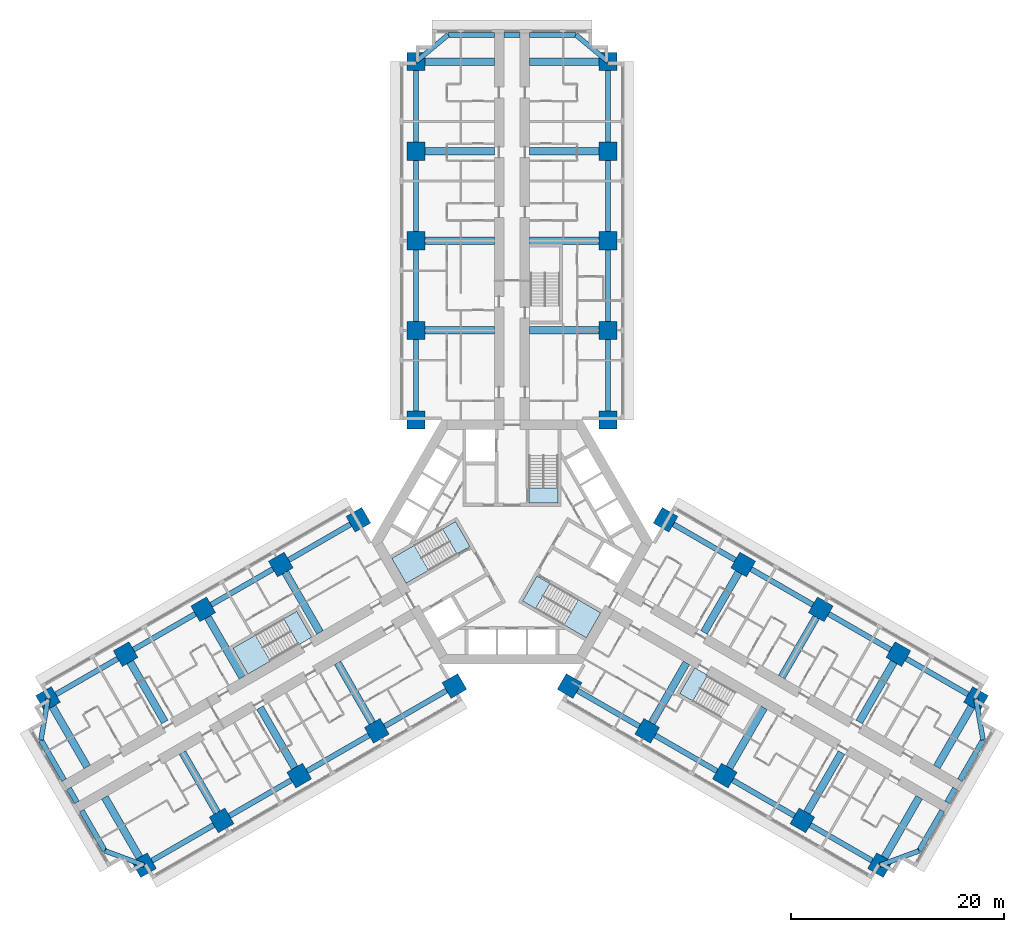
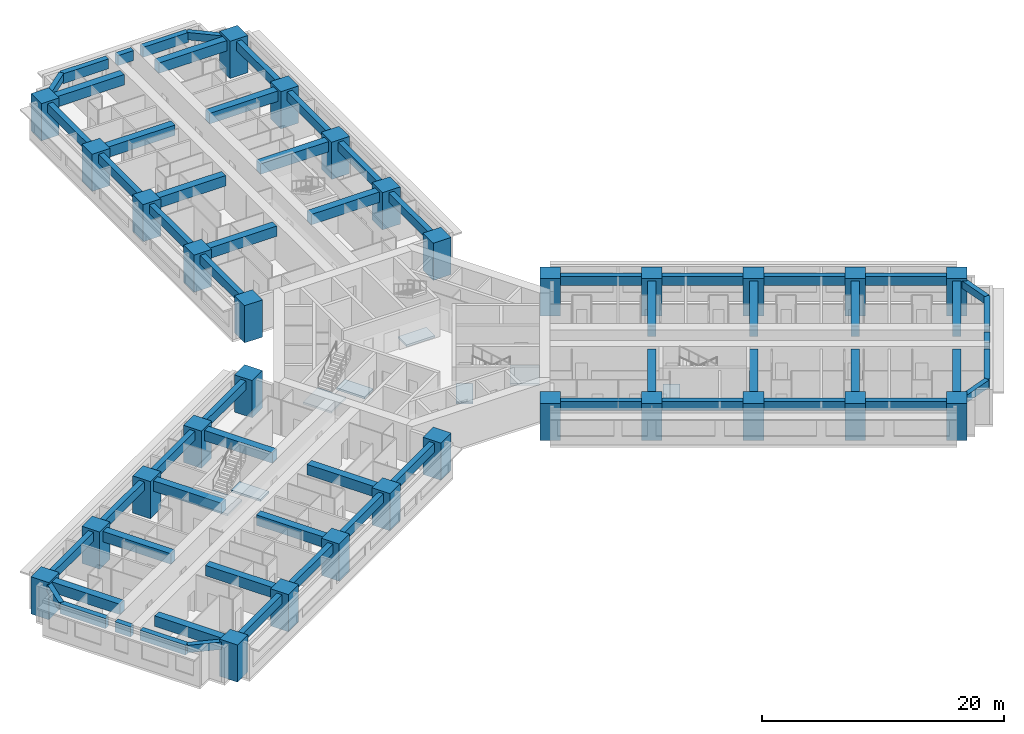
# One storey, part 1 of 16: 63 beams, 30 columns, 8 slabs, 5 elements without a shape of their own.
"""IFC4 building model written with IfcOpenShell, lengths in metres."""

from ifc_helpers import new_model, si_unit, direction, frame, origin, origin_2d, place, context, subcontext, project, spatial, polyline, rectangle, outline, extrude, material, layer, layer_set, material_profile, profile_set, type_object, element, aggregate, save


model = new_model("IFC4")

# Units and contexts
model_context = context("Model", 3, precision=1e-05, world=origin(), true_north=direction((0.0, 1.0)))
body_context = subcontext(model_context, "Body", "Model", "MODEL_VIEW")
ifc_project = project(units=[si_unit("LENGTHUNIT", "METRE"), si_unit("AREAUNIT", "SQUARE_METRE"), si_unit("VOLUMEUNIT", "CUBIC_METRE"), si_unit("PLANEANGLEUNIT", "RADIAN"), si_unit("MASSUNIT", "GRAM", prefix="KILO")], contexts=[model_context])

# Site, building, storey
site_placement = place(None, origin())
site = spatial("IfcSite", under=ifc_project, at=site_placement, CompositionType="ELEMENT")
building_placement = place(site_placement, origin())
building = spatial("IfcBuilding", under=site, at=building_placement, Name="Impinga Residences", CompositionType="ELEMENT")
storey_placement = place(building_placement, frame((0.0, 0.0, 44.75)))
storey = spatial("IfcBuildingStorey", under=building, at=storey_placement, Name="L10", CompositionType="ELEMENT", Elevation=44.75)

# Columns
ifc_material_1 = material(Name="Concrete C70/85", Category="concrete")
ifc_material_profile_1 = material_profile(ifc_material_1, rectangle(XDim=1.699951171875, YDim=1.699951171875, at=origin_2d()), Name="RC 1700x1700")
ifc_profile_set_1 = profile_set([ifc_material_profile_1], Name="Concrete C70/85")
column_type = type_object("IfcColumnType", Name="C10 1700x1700 column", PredefinedType="COLUMN", material=ifc_profile_set_1)
for number, where, z_axis, x_axis, name in (
    (1, (-9.0, 11.431640625, 0.0), (0.0, 0.0, 1.0), (1.0, 0.0, 0.0), "Column C10 N1/NA L10"),
    (2, (9.0, 11.431640625, 0.0), (0.0, 0.0, 1.0), (1.0, 0.0, 0.0), "Column C10 N1/NF L10"),
    (3, (-9.0, 19.83154296875, 0.0), (0.0, 0.0, 1.0), (1.0, 0.0, 0.0), "Column C10 N2/NA L10"),
    (4, (9.0, 19.83154296875, 0.0), (0.0, 0.0, 1.0), (1.0, 0.0, 0.0), "Column C10 N2/NF L10"),
    (5, (-9.0, 28.2314453125, 0.0), (0.0, 0.0, 1.0), (1.0, 0.0, 0.0), "Column C10 N3/NA L10"),
    (6, (9.0, 28.2314453125, 0.0), (0.0, 0.0, 1.0), (1.0, 0.0, 0.0), "Column C10 N3/NF L10"),
    (7, (-9.0, 36.631591796875, 0.0), (0.0, 0.0, 1.0), (1.0, 0.0, 0.0), "Column C10 N4/NA L10"),
    (8, (9.0, 36.631591796875, 0.0), (0.0, 0.0, 1.0), (1.0, 0.0, 0.0), "Column C10 N4/NF L10"),
    (9, (-9.0, 45.031494140625, 0.0), (0.0, 0.0, 1.0), (1.0, 0.0, 0.0), "Column C10 N5/NA L10"),
    (10, (9.0, 45.031494140625, 0.0), (0.0, 0.0, 1.0), (1.0, 0.0, 0.0), "Column C10 N5/NF L10"),
    (11, (-5.39990234375, -13.510009765625, 0.0), (0.0, 0.0, 1.0), (-0.5, 0.866025403784, 0.0), "Column C10 W1/WA L10"),
    (12, (-14.39990234375, 2.078369140625, 0.0), (0.0, 0.0, 1.0), (-0.5, 0.866025403784, 0.0), "Column C10 W1/WF L10"),
    (13, (-12.674560546875, -17.7099609375, 0.0), (0.0, 0.0, 1.0), (-0.5, 0.866025403784, 0.0), "Column C10 W2/WA L10"),
    (14, (-21.674560546875, -2.12158203125, 0.0), (0.0, 0.0, 1.0), (-0.5, 0.866025403784, 0.0), "Column C10 W2/WF L10"),
    (15, (-19.94921875, -21.909912109375, 0.0), (0.0, 0.0, 1.0), (-0.5, 0.866025403784, 0.0), "Column C10 W3/WA L10"),
    (16, (-28.94921875, -6.321533203125, 0.0), (0.0, 0.0, 1.0), (-0.5, 0.866025403784, 0.0), "Column C10 W3/WF L10"),
    (17, (-27.223876953125, -26.110107421875, 0.0), (0.0, 0.0, 1.0), (-0.5, 0.866025403784, 0.0), "Column C10 W4/WA L10"),
    (18, (-36.223876953125, -10.521484375, 0.0), (0.0, 0.0, 1.0), (-0.5, 0.866025403784, 0.0), "Column C10 W4/WF L10"),
    (19, (-34.49853515625, -30.31005859375, 0.0), (0.0, 0.0, 1.0), (-0.5, 0.866025403784, 0.0), "Column C10 W5/WA L10"),
    (20, (-43.49853515625, -14.721435546875, 0.0), (0.0, 0.0, 1.0), (-0.5, 0.866025403784, 0.0), "Column C10 W5/WF L10"),
    (21, (14.39990234375, 2.078369140625, 0.0), (0.0, 0.0, 1.0), (-0.5, -0.866025403784, 0.0), "Column C10 E1/EA L10"),
    (22, (5.39990234375, -13.510009765625, 0.0), (0.0, 0.0, 1.0), (-0.5, -0.866025403784, 0.0), "Column C10 E1/EF L10"),
    (23, (21.674560546875, -2.12158203125, 0.0), (0.0, 0.0, 1.0), (-0.5, -0.866025403784, 0.0), "Column C10 E2/EA L10"),
    (24, (12.674560546875, -17.7099609375, 0.0), (0.0, 0.0, 1.0), (-0.5, -0.866025403784, 0.0), "Column C10 E2/EF L10"),
    (25, (28.94921875, -6.321533203125, 0.0), (0.0, 0.0, 1.0), (-0.5, -0.866025403784, 0.0), "Column C10 E3/EA L10"),
    (26, (19.94921875, -21.909912109375, 0.0), (0.0, 0.0, 1.0), (-0.5, -0.866025403784, 0.0), "Column C10 E3/EF L10"),
    (27, (36.223876953125, -10.521484375, 0.0), (0.0, 0.0, 1.0), (-0.5, -0.866025403784, 0.0), "Column C10 E4/EA L10"),
    (28, (27.223876953125, -26.110107421875, 0.0), (0.0, 0.0, 1.0), (-0.5, -0.866025403784, 0.0), "Column C10 E4/EF L10"),
    (29, (43.49853515625, -14.721435546875, 0.0), (0.0, 0.0, 1.0), (-0.5, -0.866025403784, 0.0), "Column C10 E5/EA L10"),
    (30, (34.49853515625, -30.31005859375, 0.0), (0.0, 0.0, 1.0), (-0.5, -0.866025403784, 0.0), "Column C10 E5/EF L10"),
):
    element("IfcColumn", number, at=place(storey_placement, frame(where, z_axis=z_axis, x_axis=x_axis)), inside=storey, type_object=column_type, Name=name, PredefinedType="COLUMN", context=body_context, shape_type="SweptSolid", body=[
        extrude(rectangle(XDim=1.699951171875, YDim=1.699951171875, at=origin_2d()), origin(), (0.0, 0.0, 1.0), 3.75),
    ])

# Beams
ifc_material_2 = material(Name="Concrete C60/75", Category="concrete")
ifc_material_profile_2 = material_profile(ifc_material_2, rectangle(XDim=0.449951171875, YDim=0.75, at=origin_2d()), Name="RC 450x750")
ifc_profile_set_2 = profile_set([ifc_material_profile_2], Name="Concrete C60/75")
beam_type_1 = type_object("IfcBeamType", Name="CB1 450x750 wing end cantilever beam", PredefinedType="BEAM", material=ifc_profile_set_2)
for number, where, z_axis, x_axis, name in (
    (31, (-9.0, 45.031494140625, 3.155029296875), (0.768221279597, 0.640184399664, 0.0), (-0.640184399664, 0.768221279597, 0.0), "Beam CB1 NB N5-NX level L11"),
    (32, (9.0, 45.031494140625, 3.155029296875), (-0.768221279597, 0.640184399664, 0.0), (-0.640184399664, -0.768221279597, 0.0), "Beam CB1 NE N5-NX level L11"),
    (33, (-34.49853515625, -30.31005859375, 3.155029296875), (-0.938520178725, 0.345224382289, 0.0), (-0.345224382289, -0.938520178725, 0.0), "Beam CB1 WB W5-WX level L11"),
):
    element("IfcBeam", number, at=place(storey_placement, frame(where, z_axis=z_axis, x_axis=x_axis)), inside=storey, type_object=beam_type_1, Name=name, PredefinedType="BEAM", context=body_context, shape_type="SweptSolid", body=[
        extrude(rectangle(XDim=0.449951171875, YDim=0.75, at=origin_2d()), origin(), (0.0, 0.0, 1.0), 3.905029296875),
    ])
for number, where, z_axis, x_axis, name in (
    (34, (-43.49853515625, -14.721435546875, 3.155029296875), (-0.170296298948, -0.985392901621, 0.0), (0.985392901621, -0.170296298948, 0.0), "Beam CB1 WE W5-WX level L11"),
    (35, (43.49853515625, -14.721435546875, 3.155029296875), (0.170296298948, -0.985392901621, 0.0), (0.985392901621, 0.170296298948, 0.0), "Beam CB1 EB E5-EX level L11"),
):
    element("IfcBeam", number, at=place(storey_placement, frame(where, z_axis=z_axis, x_axis=x_axis)), inside=storey, type_object=beam_type_1, Name=name, PredefinedType="BEAM", context=body_context, shape_type="SweptSolid", body=[
        extrude(rectangle(XDim=0.449951171875, YDim=0.75, at=origin_2d()), origin(), (0.0, 0.0, 1.0), 3.9052734375),
    ])
beam_1_placement = place(storey_placement, frame((34.49853515625, -30.31005859375, 3.155029296875), z_axis=(0.938520178725, 0.345224382289, 0.0), x_axis=(-0.345224382289, 0.938520178725, 0.0)))
element("IfcBeam", 36, at=beam_1_placement, inside=storey, type_object=beam_type_1, Name="Beam CB1 EE E5-EX level L11", PredefinedType="BEAM", context=body_context, shape_type="SweptSolid", body=[
    extrude(rectangle(XDim=0.449951171875, YDim=0.75, at=origin_2d()), origin(), (0.0, 0.0, 1.0), 3.905029296875),
])
ifc_material_profile_3 = material_profile(ifc_material_2, rectangle(XDim=0.699951171875, YDim=1.050048828125, at=origin_2d()), Name="RC 700x1050")
ifc_profile_set_3 = profile_set([ifc_material_profile_3], Name="Concrete C60/75")
beam_type_2 = type_object("IfcBeamType", Name="CG1 700x1050 cross girder on a wing bay line", PredefinedType="BEAM", material=ifc_profile_set_3)
for number, where, z_axis, x_axis, name in (
    (37, (-1.64990234375, 19.83154296875, 3.0048828125), (-1.0, 0.0, 0.0), (0.0, -1.0, 0.0), "Beam CG1 N2 NC/NA level L11"),
    (38, (-1.64990234375, 28.2314453125, 3.0048828125), (-1.0, 0.0, 0.0), (0.0, -1.0, 0.0), "Beam CG1 N3 NC/NA level L11"),
    (39, (-1.64990234375, 36.631591796875, 3.0048828125), (-1.0, 0.0, 0.0), (0.0, -1.0, 0.0), "Beam CG1 N4 NC/NA level L11"),
    (40, (-1.64990234375, 45.031494140625, 3.0048828125), (-1.0, 0.0, 0.0), (0.0, -1.0, 0.0), "Beam CG1 N5 NC/NA level L11"),
    (41, (1.64990234375, 19.83154296875, 3.0048828125), (1.0, 0.0, 0.0), (0.0, 1.0, 0.0), "Beam CG1 N2 NC/NF level L11"),
    (42, (1.64990234375, 28.2314453125, 3.0048828125), (1.0, 0.0, 0.0), (0.0, 1.0, 0.0), "Beam CG1 N3 NC/NF level L11"),
    (43, (1.64990234375, 36.631591796875, 3.0048828125), (1.0, 0.0, 0.0), (0.0, 1.0, 0.0), "Beam CG1 N4 NC/NF level L11"),
    (44, (1.64990234375, 45.031494140625, 3.0048828125), (1.0, 0.0, 0.0), (0.0, 1.0, 0.0), "Beam CG1 N5 NC/NF level L11"),
    (45, (-16.349609375, -11.3447265625, 3.0048828125), (0.500008066151, -0.86602074674, 0.0), (0.86602074674, 0.500008066151, 0.0), "Beam CG1 W2 WC/WA level L11"),
    (46, (-23.624267578125, -15.544677734375, 3.0048828125), (0.500008066151, -0.86602074674, 0.0), (0.86602074674, 0.500008066151, 0.0), "Beam CG1 W3 WC/WA level L11"),
    (47, (-30.89892578125, -19.74462890625, 3.0048828125), (0.499993683172, -0.866029050776, 0.0), (0.866029050776, 0.499993683172, 0.0), "Beam CG1 W4 WC/WA level L11"),
):
    element("IfcBeam", number, at=place(storey_placement, frame(where, z_axis=z_axis, x_axis=x_axis)), inside=storey, type_object=beam_type_2, Name=name, PredefinedType="BEAM", context=body_context, shape_type="SweptSolid", body=[
        extrude(rectangle(XDim=0.699951171875, YDim=1.050048828125, at=origin_2d()), origin(), (0.0, 0.0, 1.0), 7.35009765625),
    ])
beam_2_placement = place(storey_placement, frame((-38.17333984375, -23.94482421875, 3.0048828125), z_axis=(0.499983153418, -0.866035129944, 0.0), x_axis=(0.866035129944, 0.499983153418, 0.0)))
element("IfcBeam", 48, at=beam_2_placement, inside=storey, type_object=beam_type_2, Name="Beam CG1 W5 WC/WA level L11", PredefinedType="BEAM", context=body_context, shape_type="SweptSolid", body=[
    extrude(rectangle(XDim=0.699951171875, YDim=1.050048828125, at=origin_2d()), origin(), (0.0, 0.0, 1.0), 7.349853515625),
])
for number, where, z_axis, x_axis, name in (
    (49, (-17.99951171875, -8.48681640625, 3.0048828125), (-0.500008066151, 0.86602074674, 0.0), (-0.86602074674, -0.500008066151, 0.0), "Beam CG1 W2 WC/WF level L11"),
    (50, (-25.274169921875, -12.686767578125, 3.0048828125), (-0.500008066151, 0.86602074674, 0.0), (-0.86602074674, -0.500008066151, 0.0), "Beam CG1 W3 WC/WF level L11"),
    (51, (-32.548828125, -16.88671875, 3.0048828125), (-0.500008066151, 0.86602074674, 0.0), (-0.86602074674, -0.500008066151, 0.0), "Beam CG1 W4 WC/WF level L11"),
    (52, (-39.823486328125, -21.0869140625, 3.0048828125), (-0.499993683172, 0.866029050776, 0.0), (-0.866029050776, -0.499993683172, 0.0), "Beam CG1 W5 WC/WF level L11"),
    (53, (17.99951171875, -8.48681640625, 3.0048828125), (0.500008066151, 0.86602074674, 0.0), (-0.86602074674, 0.500008066151, 0.0), "Beam CG1 E2 EC/EA level L11"),
    (54, (25.274169921875, -12.686767578125, 3.0048828125), (0.500008066151, 0.86602074674, 0.0), (-0.86602074674, 0.500008066151, 0.0), "Beam CG1 E3 EC/EA level L11"),
    (55, (32.548828125, -16.88671875, 3.0048828125), (0.500008066151, 0.86602074674, 0.0), (-0.86602074674, 0.500008066151, 0.0), "Beam CG1 E4 EC/EA level L11"),
    (56, (39.823486328125, -21.0869140625, 3.0048828125), (0.499993683172, 0.866029050776, 0.0), (-0.866029050776, 0.499993683172, 0.0), "Beam CG1 E5 EC/EA level L11"),
    (57, (16.349609375, -11.3447265625, 3.0048828125), (-0.500008066151, -0.86602074674, 0.0), (0.86602074674, -0.500008066151, 0.0), "Beam CG1 E2 EC/EF level L11"),
    (58, (23.624267578125, -15.544677734375, 3.0048828125), (-0.500008066151, -0.86602074674, 0.0), (0.86602074674, -0.500008066151, 0.0), "Beam CG1 E3 EC/EF level L11"),
    (59, (30.89892578125, -19.74462890625, 3.0048828125), (-0.499993683172, -0.866029050776, 0.0), (0.866029050776, -0.499993683172, 0.0), "Beam CG1 E4 EC/EF level L11"),
):
    element("IfcBeam", number, at=place(storey_placement, frame(where, z_axis=z_axis, x_axis=x_axis)), inside=storey, type_object=beam_type_2, Name=name, PredefinedType="BEAM", context=body_context, shape_type="SweptSolid", body=[
        extrude(rectangle(XDim=0.699951171875, YDim=1.050048828125, at=origin_2d()), origin(), (0.0, 0.0, 1.0), 7.35009765625),
    ])
beam_3_placement = place(storey_placement, frame((38.17333984375, -23.94482421875, 3.0048828125), z_axis=(-0.499983153418, -0.866035129944, 0.0), x_axis=(0.866035129944, -0.499983153418, 0.0)))
element("IfcBeam", 60, at=beam_3_placement, inside=storey, type_object=beam_type_2, Name="Beam CG1 E5 EC/EF level L11", PredefinedType="BEAM", context=body_context, shape_type="SweptSolid", body=[
    extrude(rectangle(XDim=0.699951171875, YDim=1.050048828125, at=origin_2d()), origin(), (0.0, 0.0, 1.0), 7.349853515625),
])
ifc_material_profile_4 = material_profile(ifc_material_2, rectangle(XDim=0.5, YDim=1.0, at=origin_2d()), Name="RC 500x1000")
ifc_profile_set_4 = profile_set([ifc_material_profile_4], Name="Concrete C60/75")
beam_type_3 = type_object("IfcBeamType", Name="EB1 500x1000 wing end beam", PredefinedType="BEAM", material=ifc_profile_set_4)
beam_4_placement = place(storey_placement, frame((-6.0, 47.531494140625, 3.030029296875), z_axis=(1.0, 0.0, 0.0), x_axis=(0.0, 1.0, 0.0)))
element("IfcBeam", 61, at=beam_4_placement, inside=storey, type_object=beam_type_3, Name="Beam EB1 NX4 level L11", PredefinedType="BEAM", context=body_context, shape_type="SweptSolid", body=[
    extrude(rectangle(XDim=0.5, YDim=1.0, at=origin_2d()), origin(), (0.0, 0.0, 1.0), 4.35009765625),
])
beam_5_placement = place(storey_placement, frame((-0.75, 47.531494140625, 3.030029296875), z_axis=(1.0, 0.0, 0.0), x_axis=(0.0, 1.0, 0.0)))
element("IfcBeam", 62, at=beam_5_placement, inside=storey, type_object=beam_type_3, Name="Beam EB1 NX4 level L11", PredefinedType="BEAM", context=body_context, shape_type="SweptSolid", body=[
    extrude(rectangle(XDim=0.5, YDim=1.0, at=origin_2d()), origin(), (0.0, 0.0, 1.0), 1.5),
])
beam_6_placement = place(storey_placement, frame((1.64990234375, 47.531494140625, 3.030029296875), z_axis=(1.0, 0.0, 0.0), x_axis=(0.0, 1.0, 0.0)))
element("IfcBeam", 63, at=beam_6_placement, inside=storey, type_object=beam_type_3, Name="Beam EB1 NX4 level L11", PredefinedType="BEAM", context=body_context, shape_type="SweptSolid", body=[
    extrude(rectangle(XDim=0.5, YDim=1.0, at=origin_2d()), origin(), (0.0, 0.0, 1.0), 4.35009765625),
])
beam_7_placement = place(storey_placement, frame((-38.16357421875, -28.9619140625, 3.030029296875), z_axis=(-0.500020430026, 0.866013608182, 0.0), x_axis=(-0.866013608182, -0.500020430026, 0.0)))
element("IfcBeam", 64, at=beam_7_placement, inside=storey, type_object=beam_type_3, Name="Beam EB1 WX4 level L11", PredefinedType="BEAM", context=body_context, shape_type="SweptSolid", body=[
    extrude(rectangle(XDim=0.5, YDim=1.0, at=origin_2d()), origin(), (0.0, 0.0, 1.0), 4.349853515625),
])
beam_8_placement = place(storey_placement, frame((-40.78857421875, -24.415283203125, 3.030029296875), z_axis=(-0.499990139034, 0.866031096941, 0.0), x_axis=(-0.866031096941, -0.499990139034, 0.0)))
element("IfcBeam", 65, at=beam_8_placement, inside=storey, type_object=beam_type_3, Name="Beam EB1 WX4 level L11", PredefinedType="BEAM", context=body_context, shape_type="SweptSolid", body=[
    extrude(rectangle(XDim=0.5, YDim=1.0, at=origin_2d()), origin(), (0.0, 0.0, 1.0), 1.5),
])
for number, where, z_axis, x_axis, name in (
    (66, (-41.988525390625, -22.3369140625, 3.030029296875), (-0.499996127374, 0.866027639635, 0.0), (-0.866027639635, -0.499996127374, 0.0), "Beam EB1 WX4 level L11"),
    (67, (44.16357421875, -18.569580078125, 3.030029296875), (-0.499996127374, -0.866027639635, 0.0), (0.866027639635, -0.499996127374, 0.0), "Beam EB1 EX4 level L11"),
):
    element("IfcBeam", number, at=place(storey_placement, frame(where, z_axis=z_axis, x_axis=x_axis)), inside=storey, type_object=beam_type_3, Name=name, PredefinedType="BEAM", context=body_context, shape_type="SweptSolid", body=[
        extrude(rectangle(XDim=0.5, YDim=1.0, at=origin_2d()), origin(), (0.0, 0.0, 1.0), 4.35009765625),
    ])
beam_9_placement = place(storey_placement, frame((41.53857421875, -23.1162109375, 3.030029296875), z_axis=(-0.499990139034, -0.866031096941, 0.0), x_axis=(0.866031096941, -0.499990139034, 0.0)))
element("IfcBeam", 68, at=beam_9_placement, inside=storey, type_object=beam_type_3, Name="Beam EB1 EX4 level L11", PredefinedType="BEAM", context=body_context, shape_type="SweptSolid", body=[
    extrude(rectangle(XDim=0.5, YDim=1.0, at=origin_2d()), origin(), (0.0, 0.0, 1.0), 1.5),
])
beam_10_placement = place(storey_placement, frame((40.338623046875, -25.19482421875, 3.030029296875), z_axis=(-0.500020430026, -0.866013608182, 0.0), x_axis=(0.866013608182, -0.500020430026, 0.0)))
element("IfcBeam", 69, at=beam_10_placement, inside=storey, type_object=beam_type_3, Name="Beam EB1 EX4 level L11", PredefinedType="BEAM", context=body_context, shape_type="SweptSolid", body=[
    extrude(rectangle(XDim=0.5, YDim=1.0, at=origin_2d()), origin(), (0.0, 0.0, 1.0), 4.349853515625),
])
ifc_material_profile_5 = material_profile(ifc_material_2, rectangle(XDim=0.5, YDim=0.89990234375, at=origin_2d()), Name="RC 500x900")
ifc_profile_set_5 = profile_set([ifc_material_profile_5], Name="Concrete C60/75")
beam_type_4 = type_object("IfcBeamType", Name="SB1 500x900 perimeter spandrel beam", PredefinedType="SPANDREL", material=ifc_profile_set_5)
for number, where, z_axis, x_axis, name in (
    (70, (-9.0, 11.431640625, 3.080078125), (0.0, 1.0, 0.0), (-1.0, 0.0, 0.0), "Beam SB1 NA N1-N2 level L11"),
    (71, (-9.0, 19.83154296875, 3.080078125), (0.0, 1.0, 0.0), (-1.0, 0.0, 0.0), "Beam SB1 NA N2-N3 level L11"),
):
    element("IfcBeam", number, at=place(storey_placement, frame(where, z_axis=z_axis, x_axis=x_axis)), inside=storey, type_object=beam_type_4, Name=name, PredefinedType="SPANDREL", context=body_context, shape_type="SweptSolid", body=[
        extrude(rectangle(XDim=0.5, YDim=0.89990234375, at=origin_2d()), origin(), (0.0, 0.0, 1.0), 8.39990234375),
    ])
beam_11_placement = place(storey_placement, frame((-9.0, 28.2314453125, 3.080078125), z_axis=(0.0, 1.0, 0.0), x_axis=(-1.0, 0.0, 0.0)))
element("IfcBeam", 72, at=beam_11_placement, inside=storey, type_object=beam_type_4, Name="Beam SB1 NA N3-N4 level L11", PredefinedType="SPANDREL", context=body_context, shape_type="SweptSolid", body=[
    extrude(rectangle(XDim=0.5, YDim=0.89990234375, at=origin_2d()), origin(), (0.0, 0.0, 1.0), 8.400146484375),
])
for number, where, z_axis, x_axis, name in (
    (73, (-9.0, 36.631591796875, 3.080078125), (0.0, 1.0, 0.0), (-1.0, 0.0, 0.0), "Beam SB1 NA N4-N5 level L11"),
    (74, (9.0, 11.431640625, 3.080078125), (0.0, 1.0, 0.0), (-1.0, 0.0, 0.0), "Beam SB1 NF N1-N2 level L11"),
    (75, (9.0, 19.83154296875, 3.080078125), (0.0, 1.0, 0.0), (-1.0, 0.0, 0.0), "Beam SB1 NF N2-N3 level L11"),
):
    element("IfcBeam", number, at=place(storey_placement, frame(where, z_axis=z_axis, x_axis=x_axis)), inside=storey, type_object=beam_type_4, Name=name, PredefinedType="SPANDREL", context=body_context, shape_type="SweptSolid", body=[
        extrude(rectangle(XDim=0.5, YDim=0.89990234375, at=origin_2d()), origin(), (0.0, 0.0, 1.0), 8.39990234375),
    ])
beam_12_placement = place(storey_placement, frame((9.0, 28.2314453125, 3.080078125), z_axis=(0.0, 1.0, 0.0), x_axis=(-1.0, 0.0, 0.0)))
element("IfcBeam", 76, at=beam_12_placement, inside=storey, type_object=beam_type_4, Name="Beam SB1 NF N3-N4 level L11", PredefinedType="SPANDREL", context=body_context, shape_type="SweptSolid", body=[
    extrude(rectangle(XDim=0.5, YDim=0.89990234375, at=origin_2d()), origin(), (0.0, 0.0, 1.0), 8.400146484375),
])
for number, where, z_axis, x_axis, name in (
    (77, (9.0, 36.631591796875, 3.080078125), (0.0, 1.0, 0.0), (-1.0, 0.0, 0.0), "Beam SB1 NF N4-N5 level L11"),
    (78, (-5.39990234375, -13.510009765625, 3.080078125), (-0.86602925447, -0.499993330357, 0.0), (0.499993330357, -0.86602925447, 0.0), "Beam SB1 WA W1-W2 level L11"),
    (79, (-12.674560546875, -17.7099609375, 3.080078125), (-0.86602925447, -0.499993330357, 0.0), (0.499993330357, -0.86602925447, 0.0), "Beam SB1 WA W2-W3 level L11"),
):
    element("IfcBeam", number, at=place(storey_placement, frame(where, z_axis=z_axis, x_axis=x_axis)), inside=storey, type_object=beam_type_4, Name=name, PredefinedType="SPANDREL", context=body_context, shape_type="SweptSolid", body=[
        extrude(rectangle(XDim=0.5, YDim=0.89990234375, at=origin_2d()), origin(), (0.0, 0.0, 1.0), 8.39990234375),
    ])
beam_13_placement = place(storey_placement, frame((-19.94921875, -21.909912109375, 3.080078125), z_axis=(-0.866016669275, -0.500015128309, 0.0), x_axis=(0.500015128309, -0.866016669275, 0.0)))
element("IfcBeam", 80, at=beam_13_placement, inside=storey, type_object=beam_type_4, Name="Beam SB1 WA W3-W4 level L11", PredefinedType="SPANDREL", context=body_context, shape_type="SweptSolid", body=[
    extrude(rectangle(XDim=0.5, YDim=0.89990234375, at=origin_2d()), origin(), (0.0, 0.0, 1.0), 8.400146484375),
])
for number, where, z_axis, x_axis, name in (
    (81, (-27.223876953125, -26.110107421875, 3.080078125), (-0.86602925447, -0.499993330357, 0.0), (0.499993330357, -0.86602925447, 0.0), "Beam SB1 WA W4-W5 level L11"),
    (82, (-14.39990234375, 2.078369140625, 3.080078125), (-0.86602925447, -0.499993330357, 0.0), (0.499993330357, -0.86602925447, 0.0), "Beam SB1 WF W1-W2 level L11"),
    (83, (-21.674560546875, -2.12158203125, 3.080078125), (-0.86602925447, -0.499993330357, 0.0), (0.499993330357, -0.86602925447, 0.0), "Beam SB1 WF W2-W3 level L11"),
    (84, (-28.94921875, -6.321533203125, 3.080078125), (-0.86602925447, -0.499993330357, 0.0), (0.499993330357, -0.86602925447, 0.0), "Beam SB1 WF W3-W4 level L11"),
    (85, (-36.223876953125, -10.521484375, 3.080078125), (-0.86602925447, -0.499993330357, 0.0), (0.499993330357, -0.86602925447, 0.0), "Beam SB1 WF W4-W5 level L11"),
    (86, (14.39990234375, 2.078369140625, 3.080078125), (0.86602925447, -0.499993330357, 0.0), (0.499993330357, 0.86602925447, 0.0), "Beam SB1 EA E1-E2 level L11"),
    (87, (21.674560546875, -2.12158203125, 3.080078125), (0.86602925447, -0.499993330357, 0.0), (0.499993330357, 0.86602925447, 0.0), "Beam SB1 EA E2-E3 level L11"),
    (88, (28.94921875, -6.321533203125, 3.080078125), (0.86602925447, -0.499993330357, 0.0), (0.499993330357, 0.86602925447, 0.0), "Beam SB1 EA E3-E4 level L11"),
    (89, (36.223876953125, -10.521484375, 3.080078125), (0.86602925447, -0.499993330357, 0.0), (0.499993330357, 0.86602925447, 0.0), "Beam SB1 EA E4-E5 level L11"),
    (90, (5.39990234375, -13.510009765625, 3.080078125), (0.86602925447, -0.499993330357, 0.0), (0.499993330357, 0.86602925447, 0.0), "Beam SB1 EF E1-E2 level L11"),
    (91, (12.674560546875, -17.7099609375, 3.080078125), (0.86602925447, -0.499993330357, 0.0), (0.499993330357, 0.86602925447, 0.0), "Beam SB1 EF E2-E3 level L11"),
):
    element("IfcBeam", number, at=place(storey_placement, frame(where, z_axis=z_axis, x_axis=x_axis)), inside=storey, type_object=beam_type_4, Name=name, PredefinedType="SPANDREL", context=body_context, shape_type="SweptSolid", body=[
        extrude(rectangle(XDim=0.5, YDim=0.89990234375, at=origin_2d()), origin(), (0.0, 0.0, 1.0), 8.39990234375),
    ])
beam_14_placement = place(storey_placement, frame((19.94921875, -21.909912109375, 3.080078125), z_axis=(0.866016669275, -0.500015128309, 0.0), x_axis=(0.500015128309, 0.866016669275, 0.0)))
element("IfcBeam", 92, at=beam_14_placement, inside=storey, type_object=beam_type_4, Name="Beam SB1 EF E3-E4 level L11", PredefinedType="SPANDREL", context=body_context, shape_type="SweptSolid", body=[
    extrude(rectangle(XDim=0.5, YDim=0.89990234375, at=origin_2d()), origin(), (0.0, 0.0, 1.0), 8.400146484375),
])
beam_15_placement = place(storey_placement, frame((27.223876953125, -26.110107421875, 3.080078125), z_axis=(0.86602925447, -0.499993330357, 0.0), x_axis=(0.499993330357, 0.86602925447, 0.0)))
element("IfcBeam", 93, at=beam_15_placement, inside=storey, type_object=beam_type_4, Name="Beam SB1 EF E4-E5 level L11", PredefinedType="SPANDREL", context=body_context, shape_type="SweptSolid", body=[
    extrude(rectangle(XDim=0.5, YDim=0.89990234375, at=origin_2d()), origin(), (0.0, 0.0, 1.0), 8.39990234375),
])

# Stair, slab
ifc_material_3 = material(Name="Concrete C40/50", Category="concrete")
stair_type_1 = type_object("IfcStairType", Name="STR core stair 3750 storey, 24 risers", PredefinedType="HALF_TURN_STAIR", material=ifc_material_3)
stair_1_placement = place(storey_placement, origin())
stair_1 = element("IfcStair", 94, at=stair_1_placement, inside=storey, type_object=stair_type_1, Name="Stair ST1 L10", PredefinedType="HALF_TURN_STAIR")
ifc_layer = layer(ifc_material_3, 0.199951171875)
ifc_layer_set = layer_set([ifc_layer], Name="Concrete C40/50")
slab_type = type_object("IfcSlabType", Name="LS1 stair landing 200", PredefinedType="LANDING", material=ifc_layer_set)
slab_1_placement = place(storey_placement, frame((0.0, 0.0, -0.199951171875)))
slab_1 = element("IfcSlab", 95, at=slab_1_placement, type_object=slab_type, Name="ST1 landing 1", PredefinedType="LANDING", context=body_context, shape_type="SweptSolid", body=[
    extrude(outline(polyline([(1.60009765625, 3.6298828125), (4.300048828125, 3.6298828125), (4.300048828125, 5.0400390625), (1.60009765625, 5.0400390625), (1.60009765625, 3.6298828125)])), origin(), (0.0, 0.0, 1.0), 0.199951171875),
])
aggregate(stair_1, [slab_1])

# Stair, slabs
stair_2_placement = place(storey_placement, origin())
stair_2 = element("IfcStair", 96, at=stair_2_placement, inside=storey, type_object=stair_type_1, Name="Stair ST2 L10", PredefinedType="HALF_TURN_STAIR")
slab_2_placement = place(storey_placement, frame((0.0, 0.0, -0.199951171875)))
slab_2 = element("IfcSlab", 97, at=slab_2_placement, type_object=slab_type, Name="ST2 landing 1", PredefinedType="LANDING", context=body_context, shape_type="SweptSolid", body=[
    extrude(outline(polyline([(-3.943603515625, -0.429443359375), (-5.293701171875, 1.908935546875), (-6.5146484375, 1.203857421875), (-5.164794921875, -1.13427734375), (-3.943603515625, -0.429443359375)])), origin(), (0.0, 0.0, 1.0), 0.199951171875),
])
slab_3_placement = place(storey_placement, frame((0.0, 0.0, 1.675048828125)))
slab_3 = element("IfcSlab", 98, at=slab_3_placement, type_object=slab_type, Name="ST2 landing 2", PredefinedType="LANDING", context=body_context, shape_type="SweptSolid", body=[
    extrude(outline(polyline([(-7.814697265625, -2.664306640625), (-9.164794921875, -0.326171875), (-11.2705078125, -1.541748046875), (-9.920654296875, -3.880126953125), (-7.814697265625, -2.664306640625)])), origin(), (0.0, 0.0, 1.0), 0.199951171875),
])
aggregate(stair_2, [slab_2, slab_3])

stair_3_placement = place(storey_placement, origin())
stair_3 = element("IfcStair", 99, at=stair_3_placement, inside=storey, type_object=stair_type_1, Name="Stair ST3 L10", PredefinedType="HALF_TURN_STAIR")
slab_4_placement = place(storey_placement, frame((0.0, 0.0, -0.199951171875)))
slab_4 = element("IfcSlab", 100, at=slab_4_placement, type_object=slab_type, Name="ST3 landing 1", PredefinedType="LANDING", context=body_context, shape_type="SweptSolid", body=[
    extrude(outline(polyline([(2.34375, -3.20068359375), (0.99365234375, -5.538818359375), (2.21484375, -6.243896484375), (3.564697265625, -3.90576171875), (2.34375, -3.20068359375)])), origin(), (0.0, 0.0, 1.0), 0.199951171875),
])
slab_5_placement = place(storey_placement, frame((0.0, 0.0, 1.675048828125)))
slab_5 = element("IfcSlab", 101, at=slab_5_placement, type_object=slab_type, Name="ST3 landing 2", PredefinedType="LANDING", context=body_context, shape_type="SweptSolid", body=[
    extrude(outline(polyline([(6.21484375, -5.435546875), (4.86474609375, -7.77392578125), (6.970458984375, -8.98974609375), (8.320556640625, -6.6513671875), (6.21484375, -5.435546875)])), origin(), (0.0, 0.0, 1.0), 0.199951171875),
])
aggregate(stair_3, [slab_4, slab_5])

stair_type_2 = type_object("IfcStairType", Name="STR wing stair 3750 storey, 24 risers", PredefinedType="HALF_TURN_STAIR", material=ifc_material_3)
stair_4_placement = place(storey_placement, origin())
stair_4 = element("IfcStair", 102, at=stair_4_placement, inside=storey, type_object=stair_type_2, Name="Stair WS2 L10", PredefinedType="HALF_TURN_STAIR")
slab_6_placement = place(storey_placement, frame((0.0, 0.0, -0.199951171875)))
slab_6 = element("IfcSlab", 103, at=slab_6_placement, type_object=slab_type, Name="WS2 landing 1", PredefinedType="LANDING", context=body_context, shape_type="SweptSolid", body=[
    extrude(outline(polyline([(-18.779052734375, -8.936767578125), (-20.178955078125, -6.511962890625), (-21.400146484375, -7.217041015625), (-20.000244140625, -9.641845703125), (-18.779052734375, -8.936767578125)])), origin(), (0.0, 0.0, 1.0), 0.199951171875),
])
slab_7_placement = place(storey_placement, frame((0.0, 0.0, 1.675048828125)))
slab_7 = element("IfcSlab", 104, at=slab_7_placement, type_object=slab_type, Name="WS2 landing 2", PredefinedType="LANDING", context=body_context, shape_type="SweptSolid", body=[
    extrude(outline(polyline([(-22.650146484375, -11.171875), (-24.050048828125, -8.7470703125), (-26.154541015625, -9.9619140625), (-24.754638671875, -12.38671875), (-22.650146484375, -11.171875)])), origin(), (0.0, 0.0, 1.0), 0.199951171875),
])
aggregate(stair_4, [slab_6, slab_7])

# Stair, slab
stair_5_placement = place(storey_placement, origin())
stair_5 = element("IfcStair", 105, at=stair_5_placement, inside=storey, type_object=stair_type_2, Name="Stair WS3 L10", PredefinedType="HALF_TURN_STAIR")
slab_8_placement = place(storey_placement, frame((0.0, 0.0, -0.199951171875)))
slab_8 = element("IfcSlab", 106, at=slab_8_placement, type_object=slab_type, Name="WS3 landing 1", PredefinedType="LANDING", context=body_context, shape_type="SweptSolid", body=[
    extrude(outline(polyline([(17.129150390625, -11.794677734375), (15.72900390625, -14.219482421875), (16.9501953125, -14.924560546875), (18.35009765625, -12.499755859375), (17.129150390625, -11.794677734375)])), origin(), (0.0, 0.0, 1.0), 0.199951171875),
])
aggregate(stair_5, [slab_8])

save(model, "model.ifc")
